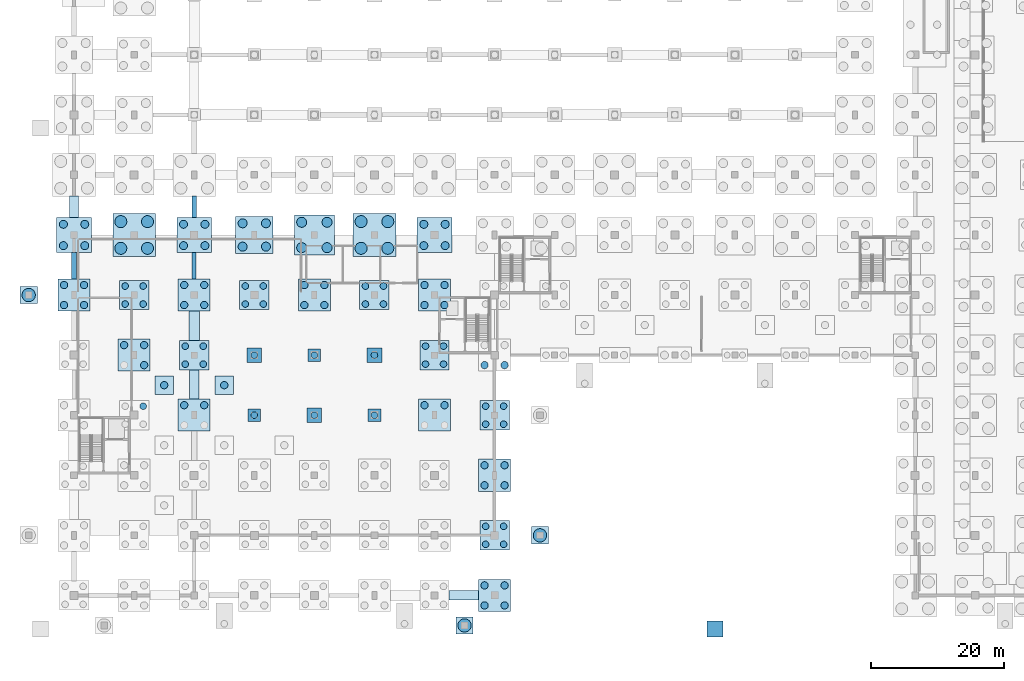
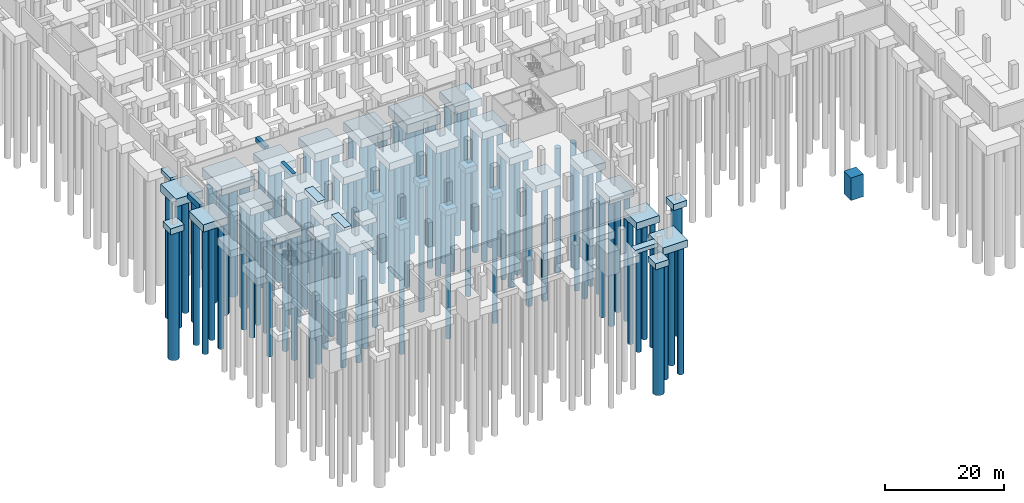
# One storey, part 2 of 37: 101 piles, 42 footings.
"""IFC4 building model written with IfcOpenShell, lengths in metres."""

from ifc_helpers import new_model, si_unit, direction, frame, origin, origin_2d, place, context, subcontext, project, spatial, rectangle, circle, extrude, material, material_profile, profile_set, type_object, element, save


model = new_model("IFC4")

# Units and contexts
model_context = context("Model", 3, precision=1e-05, world=origin(), true_north=direction((0.0, 1.0)))
body_context = subcontext(model_context, "Body", "Model", "MODEL_VIEW")
ifc_project = project(units=[si_unit("LENGTHUNIT", "METRE"), si_unit("AREAUNIT", "SQUARE_METRE"), si_unit("VOLUMEUNIT", "CUBIC_METRE"), si_unit("PLANEANGLEUNIT", "RADIAN"), si_unit("MASSUNIT", "GRAM", prefix="KILO")], contexts=[model_context])

# Site, building, storey
site_placement = place(None, origin())
site = spatial("IfcSite", under=ifc_project, at=site_placement, CompositionType="ELEMENT")
building_placement = place(site_placement, origin())
building = spatial("IfcBuilding", under=site, at=building_placement, Name="Barlavento Convention Centre", CompositionType="ELEMENT")
storey_placement = place(building_placement, frame((0.0, 0.0, -5.0)))
storey = spatial("IfcBuildingStorey", under=building, at=storey_placement, Name="B1", CompositionType="ELEMENT", Elevation=-5.0)

# Footings
ifc_material = material(Name="Concrete C40/50", Category="concrete")
footing_type_1 = type_object("IfcFootingType", Name="STR-FND-GB-600X900", PredefinedType="FOOTING_BEAM", material=ifc_material)
footing_1_placement = place(storey_placement, frame((18.0, 49.39990234375, -0.89990234375), z_axis=(0.0, 0.0, 1.0), x_axis=(1.0, 0.0, 0.0)))
element("IfcFooting", 1, at=footing_1_placement, inside=storey, type_object=footing_type_1, Name="Ground tie footing GB01", PredefinedType="FOOTING_BEAM", context=body_context, shape_type="SweptSolid", body=[
    extrude(rectangle(XDim=0.60009765625, YDim=4.010009765625, at=origin_2d()), origin(), (0.0, 0.0, 1.0), 0.89990234375),
])
footing_type_2 = type_object("IfcFootingType", Name="STR-FND-GB-700X1000", PredefinedType="FOOTING_BEAM", material=ifc_material)
footing_2_placement = place(storey_placement, frame((18.0, 58.199951171875, -1.0), z_axis=(0.0, 0.0, 1.0), x_axis=(1.0, 0.0, 0.0)))
element("IfcFooting", 2, at=footing_2_placement, inside=storey, type_object=footing_type_2, Name="Ground tie footing GB02", PredefinedType="FOOTING_BEAM", context=body_context, shape_type="SweptSolid", body=[
    extrude(rectangle(XDim=0.699951171875, YDim=3.2099609375, at=origin_2d()), origin(), (0.0, 0.0, 1.0), 1.0),
])
footing_type_3 = type_object("IfcFootingType", Name="STR-FND-GB-800X1100", PredefinedType="FOOTING_BEAM", material=ifc_material)
footing_3_placement = place(storey_placement, frame((0.0, 49.39990234375, -1.10009765625), z_axis=(0.0, 0.0, 1.0), x_axis=(1.0, 0.0, 0.0)))
element("IfcFooting", 3, at=footing_3_placement, inside=storey, type_object=footing_type_3, Name="Ground tie footing GB03", PredefinedType="FOOTING_BEAM", context=body_context, shape_type="SweptSolid", body=[
    extrude(rectangle(XDim=0.800048828125, YDim=4.010009765625, at=origin_2d()), origin(), (0.0, 0.0, 1.0), 1.10009765625),
])
footing_type_4 = type_object("IfcFootingType", Name="STR-FND-PAD-2800", PredefinedType="PAD_FOOTING", material=ifc_material)
for number, where, z_axis, x_axis, name in (
    (4, (13.5, 31.5, -1.47021484375), (0.0, 0.0, 1.0), (1.0, 0.0, 0.0), "B1 heavy plant equipment pad footing FND-EQP-0307"),
    (5, (22.5, 31.5, -1.47021484375), (0.0, 0.0, 1.0), (1.0, 0.0, 0.0), "B1 heavy plant equipment pad footing FND-EQP-0309"),
):
    element("IfcFooting", number, at=place(storey_placement, frame(where, z_axis=z_axis, x_axis=x_axis)), inside=storey, type_object=footing_type_4, Name=name, PredefinedType="PAD_FOOTING", context=body_context, shape_type="SweptSolid", body=[
        extrude(rectangle(XDim=2.800048828125, YDim=2.800048828125, at=origin_2d()), origin(), (0.0, 0.0, 1.0), 0.949951171875),
    ])
footing_type_5 = type_object("IfcFootingType", Name="STR-FND-PAD-APR-2400", PredefinedType="PAD_FOOTING", material=ifc_material)
footing_4_placement = place(storey_placement, frame((96.0, -5.0, 0.0), z_axis=(0.0, 0.0, 1.0), x_axis=(1.0, 0.0, 0.0)))
element("IfcFooting", 6, at=footing_4_placement, inside=storey, type_object=footing_type_5, Name="Perimeter plaza apron foundation pad FND-PAD-APR-02", PredefinedType="PAD_FOOTING", context=body_context, shape_type="SweptSolid", body=[
    extrude(rectangle(XDim=2.39990234375, YDim=2.39990234375, at=origin_2d()), origin(), (0.0, 0.0, 1.0), 4.639892578125),
])
footing_type_6 = type_object("IfcFootingType", Name="STR-FND-PC-2600", PredefinedType="PILE_CAP", material=ifc_material)
for number, where, z_axis, x_axis, name in (
    (7, (58.5, -4.5, -1.25), (0.0, 0.0, 1.0), (1.0, 0.0, 0.0), "Canopy V-strut anchor pile cap FND-CAP-0316"),
    (8, (-6.800048828125, 45.0, -1.25), (0.0, 0.0, 1.0), (1.0, 0.0, 0.0), "Canopy V-strut anchor pile cap FND-CAP-0318"),
    (9, (69.800048828125, 9.0, -1.25), (0.0, 0.0, 1.0), (1.0, 0.0, 0.0), "Canopy V-strut anchor pile cap FND-CAP-0319"),
):
    element("IfcFooting", number, at=place(storey_placement, frame(where, z_axis=z_axis, x_axis=x_axis)), inside=storey, type_object=footing_type_6, Name=name, PredefinedType="PILE_CAP", context=body_context, shape_type="SweptSolid", body=[
        extrude(rectangle(XDim=2.60009765625, YDim=2.60009765625, at=origin_2d()), origin(), (0.0, 0.0, 1.0), 1.25),
    ])
footing_type_7 = type_object("IfcFootingType", Name="STR-FND-PC1-1900", PredefinedType="PILE_CAP", material=ifc_material)
for number, where, z_axis, x_axis, name in (
    (10, (27.0, 27.0, -1.56982421875), (0.0, 0.0, 1.0), (1.0, 0.0, 0.0), "Pile cap PC01 at 4-D"),
    (11, (36.0, 36.0, -1.56982421875), (0.0, 0.0, 1.0), (1.0, 0.0, 0.0), "Pile cap PC01 at 5-E"),
    (12, (45.0, 27.0, -1.56982421875), (0.0, 0.0, 1.0), (1.0, 0.0, 0.0), "Pile cap PC01 at 6-D"),
):
    element("IfcFooting", number, at=place(storey_placement, frame(where, z_axis=z_axis, x_axis=x_axis)), inside=storey, type_object=footing_type_7, Name=name, PredefinedType="PILE_CAP", context=body_context, shape_type="SweptSolid", body=[
        extrude(rectangle(XDim=1.89990234375, YDim=1.89990234375, at=origin_2d()), origin(), (0.0, 0.0, 1.0), 1.050048828125),
    ])
footing_type_8 = type_object("IfcFootingType", Name="STR-FND-PC1-2200", PredefinedType="PILE_CAP", material=ifc_material)
for number, where, z_axis, x_axis, name in (
    (13, (27.0, 36.0, -1.669921875), (0.0, 0.0, 1.0), (1.0, 0.0, 0.0), "Pile cap PC02 at 4-E"),
    (14, (36.0, 27.0, -1.669921875), (0.0, 0.0, 1.0), (1.0, 0.0, 0.0), "Pile cap PC02 at 5-D"),
    (15, (45.0, 36.0, -1.669921875), (0.0, 0.0, 1.0), (1.0, 0.0, 0.0), "Pile cap PC02 at 6-E"),
):
    element("IfcFooting", number, at=place(storey_placement, frame(where, z_axis=z_axis, x_axis=x_axis)), inside=storey, type_object=footing_type_8, Name=name, PredefinedType="PILE_CAP", context=body_context, shape_type="SweptSolid", body=[
        extrude(rectangle(XDim=2.199951171875, YDim=2.199951171875, at=origin_2d()), origin(), (0.0, 0.0, 1.0), 1.14990234375),
    ])
footing_type_9 = type_object("IfcFootingType", Name="STR-FND-PC4-4400", PredefinedType="PILE_CAP", material=ifc_material)
for number, where, z_axis, x_axis, name in (
    (16, (9.0, 45.0, -1.97021484375), (0.0, 0.0, 1.0), (1.0, 0.0, 0.0), "Pile cap PC07 at 2-F"),
    (17, (18.0, 36.0, -1.97021484375), (0.0, 0.0, 1.0), (1.0, 0.0, 0.0), "Pile cap PC07 at 3-E"),
    (18, (27.0, 45.0, -1.97021484375), (0.0, 0.0, 1.0), (1.0, 0.0, 0.0), "Pile cap PC07 at 4-F"),
    (19, (45.0, 45.0, -1.97021484375), (0.0, 0.0, 1.0), (1.0, 0.0, 0.0), "Pile cap PC07 at 6-F"),
    (20, (54.0, 36.0, -1.97021484375), (0.0, 0.0, 1.0), (1.0, 0.0, 0.0), "Pile cap PC07 at 7-E"),
    (21, (63.0, 9.0, -1.97021484375), (0.0, 0.0, 1.0), (1.0, 0.0, 0.0), "Pile cap PC07 at 8-B"),
    (22, (63.0, 27.0, -1.97021484375), (0.0, 0.0, 1.0), (1.0, 0.0, 0.0), "Pile cap PC07 at 8-D"),
):
    element("IfcFooting", number, at=place(storey_placement, frame(where, z_axis=z_axis, x_axis=x_axis)), inside=storey, type_object=footing_type_9, Name=name, PredefinedType="PILE_CAP", context=body_context, shape_type="SweptSolid", body=[
        extrude(rectangle(XDim=4.39990234375, YDim=4.39990234375, at=origin_2d()), origin(), (0.0, 0.0, 1.0), 1.449951171875),
    ])
footing_type_10 = type_object("IfcFootingType", Name="STR-FND-PC4-4800", PredefinedType="PILE_CAP", material=ifc_material)
for number, where, z_axis, x_axis, name in (
    (23, (0.0, 45.0, -2.02001953125), (0.0, 0.0, 1.0), (1.0, 0.0, 0.0), "Pile cap PC08 at 1-F"),
    (24, (9.0, 36.0, -2.02001953125), (0.0, 0.0, 1.0), (1.0, 0.0, 0.0), "Pile cap PC08 at 2-E"),
    (25, (18.0, 27.0, -2.02001953125), (0.0, 0.0, 1.0), (1.0, 0.0, 0.0), "Pile cap PC08 at 3-D"),
    (26, (18.0, 45.0, -2.02001953125), (0.0, 0.0, 1.0), (1.0, 0.0, 0.0), "Pile cap PC08 at 3-F"),
    (27, (36.0, 45.0, -2.02001953125), (0.0, 0.0, 1.0), (1.0, 0.0, 0.0), "Pile cap PC08 at 5-F"),
    (28, (54.0, 27.0, -2.02001953125), (0.0, 0.0, 1.0), (1.0, 0.0, 0.0), "Pile cap PC08 at 7-D"),
    (29, (54.0, 45.0, -2.02001953125), (0.0, 0.0, 1.0), (1.0, 0.0, 0.0), "Pile cap PC08 at 7-F"),
    (30, (63.0, 0.0, -1.5), (0.0, 0.0, 1.0), (1.0, 0.0, 0.0), "Pile cap PC08 at 8-A"),
    (31, (63.0, 18.0, -2.02001953125), (0.0, 0.0, 1.0), (1.0, 0.0, 0.0), "Pile cap PC08 at 8-C"),
):
    element("IfcFooting", number, at=place(storey_placement, frame(where, z_axis=z_axis, x_axis=x_axis)), inside=storey, type_object=footing_type_10, Name=name, PredefinedType="PILE_CAP", context=body_context, shape_type="SweptSolid", body=[
        extrude(rectangle(XDim=4.800048828125, YDim=4.800048828125, at=origin_2d()), origin(), (0.0, 0.0, 1.0), 1.5),
    ])
footing_type_11 = type_object("IfcFootingType", Name="STR-FND-PC4-5200", PredefinedType="PILE_CAP", material=ifc_material)
for number, where, z_axis, x_axis, name in (
    (32, (0.0, 54.0, -2.1201171875), (0.0, 0.0, 1.0), (1.0, 0.0, 0.0), "Pile cap PC09 at 1-G"),
    (33, (18.0, 54.0, -2.1201171875), (0.0, 0.0, 1.0), (1.0, 0.0, 0.0), "Pile cap PC09 at 3-G"),
    (34, (54.0, 54.0, -2.1201171875), (0.0, 0.0, 1.0), (1.0, 0.0, 0.0), "Pile cap PC09 at 7-G"),
):
    element("IfcFooting", number, at=place(storey_placement, frame(where, z_axis=z_axis, x_axis=x_axis)), inside=storey, type_object=footing_type_11, Name=name, PredefinedType="PILE_CAP", context=body_context, shape_type="SweptSolid", body=[
        extrude(rectangle(XDim=5.199951171875, YDim=5.199951171875, at=origin_2d()), origin(), (0.0, 0.0, 1.0), 1.60009765625),
    ])
footing_type_12 = type_object("IfcFootingType", Name="STR-FND-PC4-5600", PredefinedType="PILE_CAP", material=ifc_material)
footing_5_placement = place(storey_placement, frame((27.0, 54.0, -2.22021484375), z_axis=(0.0, 0.0, 1.0), x_axis=(1.0, 0.0, 0.0)))
element("IfcFooting", 35, at=footing_5_placement, inside=storey, type_object=footing_type_12, Name="Pile cap PC10 at 4-G", PredefinedType="PILE_CAP", context=body_context, shape_type="SweptSolid", body=[
    extrude(rectangle(XDim=5.60009765625, YDim=5.60009765625, at=origin_2d()), origin(), (0.0, 0.0, 1.0), 1.699951171875),
])
footing_type_13 = type_object("IfcFootingType", Name="STR-FND-PC4-6000", PredefinedType="PILE_CAP", material=ifc_material)
footing_6_placement = place(storey_placement, frame((36.0, 54.0, -2.31982421875), z_axis=(0.0, 0.0, 1.0), x_axis=(1.0, 0.0, 0.0)))
element("IfcFooting", 36, at=footing_6_placement, inside=storey, type_object=footing_type_13, Name="Pile cap PC11 at 5-G", PredefinedType="PILE_CAP", context=body_context, shape_type="SweptSolid", body=[
    extrude(rectangle(XDim=6.0, YDim=6.0, at=origin_2d()), origin(), (0.0, 0.0, 1.0), 1.800048828125),
])
footing_type_14 = type_object("IfcFootingType", Name="STR-FND-PC4-6400", PredefinedType="PILE_CAP", material=ifc_material)
for number, where, z_axis, x_axis, name in (
    (37, (9.0, 54.0, -2.419921875), (0.0, 0.0, 1.0), (1.0, 0.0, 0.0), "Pile cap PC12 at 2-G"),
    (38, (45.0, 54.0, -2.419921875), (0.0, 0.0, 1.0), (1.0, 0.0, 0.0), "Pile cap PC12 at 6-G"),
):
    element("IfcFooting", number, at=place(storey_placement, frame(where, z_axis=z_axis, x_axis=x_axis)), inside=storey, type_object=footing_type_14, Name=name, PredefinedType="PILE_CAP", context=body_context, shape_type="SweptSolid", body=[
        extrude(rectangle(XDim=6.39990234375, YDim=6.39990234375, at=origin_2d()), origin(), (0.0, 0.0, 1.0), 1.89990234375),
    ])
footing_type_15 = type_object("IfcFootingType", Name="STR-FND-SF-1400X800", PredefinedType="STRIP_FOOTING", material=ifc_material)
footing_7_placement = place(storey_placement, frame((58.39990234375, 0.0, -0.7998046875), z_axis=(0.0, 0.0, 1.0), x_axis=(1.0, 0.0, 0.0)))
element("IfcFooting", 39, at=footing_7_placement, inside=storey, type_object=footing_type_15, Name="Ground tie footing SF01", PredefinedType="STRIP_FOOTING", context=body_context, shape_type="SweptSolid", body=[
    extrude(rectangle(XDim=4.409912109375, YDim=1.39990234375, at=origin_2d()), origin(), (0.0, 0.0, 1.0), 0.800048828125),
])
footing_8_placement = place(storey_placement, frame((0.0, 58.199951171875, -0.7998046875), z_axis=(0.0, 0.0, 1.0), x_axis=(1.0, 0.0, 0.0)))
element("IfcFooting", 40, at=footing_8_placement, inside=storey, type_object=footing_type_15, Name="Ground tie footing SF01", PredefinedType="STRIP_FOOTING", context=body_context, shape_type="SweptSolid", body=[
    extrude(rectangle(XDim=1.39990234375, YDim=3.2099609375, at=origin_2d()), origin(), (0.0, 0.0, 1.0), 0.800048828125),
])
footing_9_placement = place(storey_placement, frame((18.0, 31.60009765625, -0.7998046875), z_axis=(0.0, 0.0, 1.0), x_axis=(1.0, 0.0, 0.0)))
element("IfcFooting", 41, at=footing_9_placement, inside=storey, type_object=footing_type_15, Name="Ground tie footing SF01", PredefinedType="STRIP_FOOTING", context=body_context, shape_type="SweptSolid", body=[
    extrude(rectangle(XDim=1.39990234375, YDim=4.409912109375, at=origin_2d()), origin(), (0.0, 0.0, 1.0), 0.800048828125),
])
footing_type_16 = type_object("IfcFootingType", Name="STR-FND-SF-1600X900", PredefinedType="STRIP_FOOTING", material=ifc_material)
footing_10_placement = place(storey_placement, frame((18.0, 40.39990234375, -0.89990234375), z_axis=(0.0, 0.0, 1.0), x_axis=(1.0, 0.0, 0.0)))
element("IfcFooting", 42, at=footing_10_placement, inside=storey, type_object=footing_type_16, Name="Ground tie footing SF02", PredefinedType="STRIP_FOOTING", context=body_context, shape_type="SweptSolid", body=[
    extrude(rectangle(XDim=1.60009765625, YDim=4.409912109375, at=origin_2d()), origin(), (0.0, 0.0, 1.0), 0.89990234375),
])

# Piles
ifc_material_profile_1 = material_profile(ifc_material, circle(Radius=0.5, at=origin_2d()), Name="BORED PILE 1000")
ifc_profile_set_1 = profile_set([ifc_material_profile_1], Name="Concrete C40/50")
pile_type_1 = type_object("IfcPileType", Name="STR-PIL-B1000", PredefinedType="BORED", material=ifc_profile_set_1)
for number, where, z_axis, x_axis, name in (
    (43, (10.35009765625, 28.35009765625, -1.8701171875), (0.0, 0.0, -1.0), (1.0, 0.0, 0.0), "Bored pile P10 under FND-CAP-0017"),
    (44, (7.64990234375, 43.64990234375, -1.8701171875), (0.0, 0.0, -1.0), (1.0, 0.0, 0.0), "Bored pile P10 under FND-CAP-0019"),
    (45, (10.35009765625, 43.64990234375, -1.8701171875), (0.0, 0.0, -1.0), (1.0, 0.0, 0.0), "Bored pile P10 under FND-CAP-0019"),
    (46, (7.64990234375, 46.35009765625, -1.8701171875), (0.0, 0.0, -1.0), (1.0, 0.0, 0.0), "Bored pile P10 under FND-CAP-0019"),
    (47, (10.35009765625, 46.35009765625, -1.8701171875), (0.0, 0.0, -1.0), (1.0, 0.0, 0.0), "Bored pile P10 under FND-CAP-0019"),
    (48, (16.64990234375, 34.64990234375, -1.8701171875), (0.0, 0.0, -1.0), (1.0, 0.0, 0.0), "Bored pile P10 under FND-CAP-0033"),
    (49, (19.35009765625, 34.64990234375, -1.8701171875), (0.0, 0.0, -1.0), (1.0, 0.0, 0.0), "Bored pile P10 under FND-CAP-0033"),
    (50, (16.64990234375, 37.35009765625, -1.8701171875), (0.0, 0.0, -1.0), (1.0, 0.0, 0.0), "Bored pile P10 under FND-CAP-0033"),
    (51, (19.35009765625, 37.35009765625, -1.8701171875), (0.0, 0.0, -1.0), (1.0, 0.0, 0.0), "Bored pile P10 under FND-CAP-0033"),
):
    element("IfcPile", number, at=place(storey_placement, frame(where, z_axis=z_axis, x_axis=x_axis)), inside=storey, type_object=pile_type_1, Name=name, PredefinedType="BORED", context=body_context, shape_type="SweptSolid", body=[
        extrude(circle(Radius=0.5, at=origin_2d()), origin(), (0.0, 0.0, 1.0), 25.6298828125),
    ])
pile_1_placement = place(storey_placement, frame((27.0, 27.0, -1.469970703125), z_axis=(0.0, 0.0, -1.0), x_axis=(1.0, 0.0, 0.0)))
element("IfcPile", 52, at=pile_1_placement, inside=storey, type_object=pile_type_1, Name="Bored pile P10 under FND-CAP-0047", PredefinedType="BORED", context=body_context, shape_type="SweptSolid", body=[
    extrude(circle(Radius=0.5, at=origin_2d()), origin(), (0.0, 0.0, 1.0), 26.030029296875),
])
pile_2_placement = place(storey_placement, frame((27.0, 36.0, -1.570068359375), z_axis=(0.0, 0.0, -1.0), x_axis=(1.0, 0.0, 0.0)))
element("IfcPile", 53, at=pile_2_placement, inside=storey, type_object=pile_type_1, Name="Bored pile P10 under FND-CAP-0048", PredefinedType="BORED", context=body_context, shape_type="SweptSolid", body=[
    extrude(circle(Radius=0.5, at=origin_2d()), origin(), (0.0, 0.0, 1.0), 25.929931640625),
])
for number, where, z_axis, x_axis, name in (
    (54, (25.64990234375, 43.64990234375, -1.8701171875), (0.0, 0.0, -1.0), (1.0, 0.0, 0.0), "Bored pile P10 under FND-CAP-0049"),
    (55, (28.35009765625, 43.64990234375, -1.8701171875), (0.0, 0.0, -1.0), (1.0, 0.0, 0.0), "Bored pile P10 under FND-CAP-0049"),
    (56, (25.64990234375, 46.35009765625, -1.8701171875), (0.0, 0.0, -1.0), (1.0, 0.0, 0.0), "Bored pile P10 under FND-CAP-0049"),
    (57, (28.35009765625, 46.35009765625, -1.8701171875), (0.0, 0.0, -1.0), (1.0, 0.0, 0.0), "Bored pile P10 under FND-CAP-0049"),
):
    element("IfcPile", number, at=place(storey_placement, frame(where, z_axis=z_axis, x_axis=x_axis)), inside=storey, type_object=pile_type_1, Name=name, PredefinedType="BORED", context=body_context, shape_type="SweptSolid", body=[
        extrude(circle(Radius=0.5, at=origin_2d()), origin(), (0.0, 0.0, 1.0), 25.6298828125),
    ])
pile_3_placement = place(storey_placement, frame((36.0, 27.0, -1.570068359375), z_axis=(0.0, 0.0, -1.0), x_axis=(1.0, 0.0, 0.0)))
element("IfcPile", 58, at=pile_3_placement, inside=storey, type_object=pile_type_1, Name="Bored pile P10 under FND-CAP-0062", PredefinedType="BORED", context=body_context, shape_type="SweptSolid", body=[
    extrude(circle(Radius=0.5, at=origin_2d()), origin(), (0.0, 0.0, 1.0), 25.929931640625),
])
for number, where, z_axis, x_axis, name in (
    (59, (36.0, 36.0, -1.469970703125), (0.0, 0.0, -1.0), (1.0, 0.0, 0.0), "Bored pile P10 under FND-CAP-0063"),
    (60, (45.0, 27.0, -1.469970703125), (0.0, 0.0, -1.0), (1.0, 0.0, 0.0), "Bored pile P10 under FND-CAP-0077"),
):
    element("IfcPile", number, at=place(storey_placement, frame(where, z_axis=z_axis, x_axis=x_axis)), inside=storey, type_object=pile_type_1, Name=name, PredefinedType="BORED", context=body_context, shape_type="SweptSolid", body=[
        extrude(circle(Radius=0.5, at=origin_2d()), origin(), (0.0, 0.0, 1.0), 26.030029296875),
    ])
pile_4_placement = place(storey_placement, frame((45.0, 36.0, -1.570068359375), z_axis=(0.0, 0.0, -1.0), x_axis=(1.0, 0.0, 0.0)))
element("IfcPile", 61, at=pile_4_placement, inside=storey, type_object=pile_type_1, Name="Bored pile P10 under FND-CAP-0078", PredefinedType="BORED", context=body_context, shape_type="SweptSolid", body=[
    extrude(circle(Radius=0.5, at=origin_2d()), origin(), (0.0, 0.0, 1.0), 25.929931640625),
])
for number, where, z_axis, x_axis, name in (
    (62, (43.64990234375, 43.64990234375, -1.8701171875), (0.0, 0.0, -1.0), (1.0, 0.0, 0.0), "Bored pile P10 under FND-CAP-0079"),
    (63, (46.35009765625, 43.64990234375, -1.8701171875), (0.0, 0.0, -1.0), (1.0, 0.0, 0.0), "Bored pile P10 under FND-CAP-0079"),
    (64, (43.64990234375, 46.35009765625, -1.8701171875), (0.0, 0.0, -1.0), (1.0, 0.0, 0.0), "Bored pile P10 under FND-CAP-0079"),
    (65, (46.35009765625, 46.35009765625, -1.8701171875), (0.0, 0.0, -1.0), (1.0, 0.0, 0.0), "Bored pile P10 under FND-CAP-0079"),
    (66, (52.64990234375, 34.64990234375, -1.8701171875), (0.0, 0.0, -1.0), (1.0, 0.0, 0.0), "Bored pile P10 under FND-CAP-0093"),
    (67, (55.35009765625, 34.64990234375, -1.8701171875), (0.0, 0.0, -1.0), (1.0, 0.0, 0.0), "Bored pile P10 under FND-CAP-0093"),
    (68, (52.64990234375, 37.35009765625, -1.8701171875), (0.0, 0.0, -1.0), (1.0, 0.0, 0.0), "Bored pile P10 under FND-CAP-0093"),
    (69, (55.35009765625, 37.35009765625, -1.8701171875), (0.0, 0.0, -1.0), (1.0, 0.0, 0.0), "Bored pile P10 under FND-CAP-0093"),
    (70, (61.64990234375, 7.64990234375, -1.8701171875), (0.0, 0.0, -1.0), (1.0, 0.0, 0.0), "Bored pile P10 under FND-CAP-0105"),
    (71, (64.35009765625, 7.64990234375, -1.8701171875), (0.0, 0.0, -1.0), (1.0, 0.0, 0.0), "Bored pile P10 under FND-CAP-0105"),
    (72, (61.64990234375, 10.35009765625, -1.8701171875), (0.0, 0.0, -1.0), (1.0, 0.0, 0.0), "Bored pile P10 under FND-CAP-0105"),
    (73, (64.35009765625, 10.35009765625, -1.8701171875), (0.0, 0.0, -1.0), (1.0, 0.0, 0.0), "Bored pile P10 under FND-CAP-0105"),
    (74, (61.64990234375, 25.64990234375, -1.8701171875), (0.0, 0.0, -1.0), (1.0, 0.0, 0.0), "Bored pile P10 under FND-CAP-0107"),
    (75, (64.35009765625, 25.64990234375, -1.8701171875), (0.0, 0.0, -1.0), (1.0, 0.0, 0.0), "Bored pile P10 under FND-CAP-0107"),
    (76, (61.64990234375, 28.35009765625, -1.8701171875), (0.0, 0.0, -1.0), (1.0, 0.0, 0.0), "Bored pile P10 under FND-CAP-0107"),
    (77, (64.35009765625, 28.35009765625, -1.8701171875), (0.0, 0.0, -1.0), (1.0, 0.0, 0.0), "Bored pile P10 under FND-CAP-0107"),
):
    element("IfcPile", number, at=place(storey_placement, frame(where, z_axis=z_axis, x_axis=x_axis)), inside=storey, type_object=pile_type_1, Name=name, PredefinedType="BORED", context=body_context, shape_type="SweptSolid", body=[
        extrude(circle(Radius=0.5, at=origin_2d()), origin(), (0.0, 0.0, 1.0), 25.6298828125),
    ])
ifc_material_profile_2 = material_profile(ifc_material, circle(Radius=0.550048828125, at=origin_2d()), Name="BORED PILE 1100")
ifc_profile_set_2 = profile_set([ifc_material_profile_2], Name="Concrete C40/50")
pile_type_2 = type_object("IfcPileType", Name="STR-PIL-B1100", PredefinedType="BORED", material=ifc_profile_set_2)
for number, where, z_axis, x_axis, name in (
    (78, (-1.5, 43.5, -1.919921875), (0.0, 0.0, -1.0), (1.0, 0.0, 0.0), "Bored pile P11 under FND-CAP-0006"),
    (79, (1.5, 43.5, -1.919921875), (0.0, 0.0, -1.0), (1.0, 0.0, 0.0), "Bored pile P11 under FND-CAP-0006"),
    (80, (-1.5, 46.5, -1.919921875), (0.0, 0.0, -1.0), (1.0, 0.0, 0.0), "Bored pile P11 under FND-CAP-0006"),
    (81, (1.5, 46.5, -1.919921875), (0.0, 0.0, -1.0), (1.0, 0.0, 0.0), "Bored pile P11 under FND-CAP-0006"),
    (82, (10.5, 34.5, -1.919921875), (0.0, 0.0, -1.0), (1.0, 0.0, 0.0), "Bored pile P11 under FND-CAP-0018"),
    (83, (7.5, 37.5, -1.919921875), (0.0, 0.0, -1.0), (1.0, 0.0, 0.0), "Bored pile P11 under FND-CAP-0018"),
    (84, (10.5, 37.5, -1.919921875), (0.0, 0.0, -1.0), (1.0, 0.0, 0.0), "Bored pile P11 under FND-CAP-0018"),
    (85, (16.5, 28.5, -1.919921875), (0.0, 0.0, -1.0), (1.0, 0.0, 0.0), "Bored pile P11 under FND-CAP-0032"),
    (86, (19.5, 28.5, -1.919921875), (0.0, 0.0, -1.0), (1.0, 0.0, 0.0), "Bored pile P11 under FND-CAP-0032"),
    (87, (16.5, 43.5, -1.919921875), (0.0, 0.0, -1.0), (1.0, 0.0, 0.0), "Bored pile P11 under FND-CAP-0034"),
    (88, (19.5, 43.5, -1.919921875), (0.0, 0.0, -1.0), (1.0, 0.0, 0.0), "Bored pile P11 under FND-CAP-0034"),
    (89, (16.5, 46.5, -1.919921875), (0.0, 0.0, -1.0), (1.0, 0.0, 0.0), "Bored pile P11 under FND-CAP-0034"),
    (90, (19.5, 46.5, -1.919921875), (0.0, 0.0, -1.0), (1.0, 0.0, 0.0), "Bored pile P11 under FND-CAP-0034"),
    (91, (34.5, 43.5, -1.919921875), (0.0, 0.0, -1.0), (1.0, 0.0, 0.0), "Bored pile P11 under FND-CAP-0064"),
    (92, (37.5, 43.5, -1.919921875), (0.0, 0.0, -1.0), (1.0, 0.0, 0.0), "Bored pile P11 under FND-CAP-0064"),
    (93, (34.5, 46.5, -1.919921875), (0.0, 0.0, -1.0), (1.0, 0.0, 0.0), "Bored pile P11 under FND-CAP-0064"),
    (94, (37.5, 46.5, -1.919921875), (0.0, 0.0, -1.0), (1.0, 0.0, 0.0), "Bored pile P11 under FND-CAP-0064"),
    (95, (52.5, 28.5, -1.919921875), (0.0, 0.0, -1.0), (1.0, 0.0, 0.0), "Bored pile P11 under FND-CAP-0092"),
    (96, (55.5, 28.5, -1.919921875), (0.0, 0.0, -1.0), (1.0, 0.0, 0.0), "Bored pile P11 under FND-CAP-0092"),
    (97, (52.5, 43.5, -1.919921875), (0.0, 0.0, -1.0), (1.0, 0.0, 0.0), "Bored pile P11 under FND-CAP-0094"),
    (98, (55.5, 43.5, -1.919921875), (0.0, 0.0, -1.0), (1.0, 0.0, 0.0), "Bored pile P11 under FND-CAP-0094"),
    (99, (52.5, 46.5, -1.919921875), (0.0, 0.0, -1.0), (1.0, 0.0, 0.0), "Bored pile P11 under FND-CAP-0094"),
    (100, (55.5, 46.5, -1.919921875), (0.0, 0.0, -1.0), (1.0, 0.0, 0.0), "Bored pile P11 under FND-CAP-0094"),
):
    element("IfcPile", number, at=place(storey_placement, frame(where, z_axis=z_axis, x_axis=x_axis)), inside=storey, type_object=pile_type_2, Name=name, PredefinedType="BORED", context=body_context, shape_type="SweptSolid", body=[
        extrude(circle(Radius=0.550048828125, at=origin_2d()), origin(), (0.0, 0.0, 1.0), 25.580078125),
    ])
for number, where, z_axis, x_axis, name in (
    (101, (61.5, -1.5, -1.39990234375), (0.0, 0.0, -1.0), (1.0, 0.0, 0.0), "Bored pile P11 under FND-CAP-0104"),
    (102, (64.5, -1.5, -1.39990234375), (0.0, 0.0, -1.0), (1.0, 0.0, 0.0), "Bored pile P11 under FND-CAP-0104"),
    (103, (61.5, 1.5, -1.39990234375), (0.0, 0.0, -1.0), (1.0, 0.0, 0.0), "Bored pile P11 under FND-CAP-0104"),
    (104, (64.5, 1.5, -1.39990234375), (0.0, 0.0, -1.0), (1.0, 0.0, 0.0), "Bored pile P11 under FND-CAP-0104"),
):
    element("IfcPile", number, at=place(storey_placement, frame(where, z_axis=z_axis, x_axis=x_axis)), inside=storey, type_object=pile_type_2, Name=name, PredefinedType="BORED", context=body_context, shape_type="SweptSolid", body=[
        extrude(circle(Radius=0.550048828125, at=origin_2d()), origin(), (0.0, 0.0, 1.0), 26.10009765625),
    ])
for number, where, z_axis, x_axis, name in (
    (105, (61.5, 16.5, -1.919921875), (0.0, 0.0, -1.0), (1.0, 0.0, 0.0), "Bored pile P11 under FND-CAP-0106"),
    (106, (64.5, 16.5, -1.919921875), (0.0, 0.0, -1.0), (1.0, 0.0, 0.0), "Bored pile P11 under FND-CAP-0106"),
    (107, (61.5, 19.5, -1.919921875), (0.0, 0.0, -1.0), (1.0, 0.0, 0.0), "Bored pile P11 under FND-CAP-0106"),
    (108, (64.5, 19.5, -1.919921875), (0.0, 0.0, -1.0), (1.0, 0.0, 0.0), "Bored pile P11 under FND-CAP-0106"),
    (109, (61.5, 34.5, -1.919921875), (0.0, 0.0, -1.0), (1.0, 0.0, 0.0), "Bored pile P11 under FND-CAP-0108"),
    (110, (64.5, 34.5, -1.919921875), (0.0, 0.0, -1.0), (1.0, 0.0, 0.0), "Bored pile P11 under FND-CAP-0108"),
):
    element("IfcPile", number, at=place(storey_placement, frame(where, z_axis=z_axis, x_axis=x_axis)), inside=storey, type_object=pile_type_2, Name=name, PredefinedType="BORED", context=body_context, shape_type="SweptSolid", body=[
        extrude(circle(Radius=0.550048828125, at=origin_2d()), origin(), (0.0, 0.0, 1.0), 25.580078125),
    ])
for number, where, z_axis, x_axis, name in (
    (111, (13.5, 31.5, -1.3701171875), (0.0, 0.0, -1.0), (1.0, 0.0, 0.0), "Equipment pad bored pile PIL-P11-13500-31500"),
    (112, (22.5, 31.5, -1.3701171875), (0.0, 0.0, -1.0), (1.0, 0.0, 0.0), "Equipment pad bored pile PIL-P11-22500-31500"),
):
    element("IfcPile", number, at=place(storey_placement, frame(where, z_axis=z_axis, x_axis=x_axis)), inside=storey, type_object=pile_type_2, Name=name, PredefinedType="BORED", context=body_context, shape_type="SweptSolid", body=[
        extrude(circle(Radius=0.550048828125, at=origin_2d()), origin(), (0.0, 0.0, 1.0), 26.1298828125),
    ])
ifc_material_profile_3 = material_profile(ifc_material, circle(Radius=0.60009765625, at=origin_2d()), Name="BORED PILE 1200")
ifc_profile_set_3 = profile_set([ifc_material_profile_3], Name="Concrete C40/50")
pile_type_3 = type_object("IfcPileType", Name="STR-PIL-B1200", PredefinedType="BORED", material=ifc_profile_set_3)
for number, where, z_axis, x_axis, name in (
    (113, (-1.60009765625, 52.39990234375, -2.02001953125), (0.0, 0.0, -1.0), (1.0, 0.0, 0.0), "Bored pile P12 under FND-CAP-0007"),
    (114, (1.60009765625, 52.39990234375, -2.02001953125), (0.0, 0.0, -1.0), (1.0, 0.0, 0.0), "Bored pile P12 under FND-CAP-0007"),
    (115, (-1.60009765625, 55.60009765625, -2.02001953125), (0.0, 0.0, -1.0), (1.0, 0.0, 0.0), "Bored pile P12 under FND-CAP-0007"),
    (116, (1.60009765625, 55.60009765625, -2.02001953125), (0.0, 0.0, -1.0), (1.0, 0.0, 0.0), "Bored pile P12 under FND-CAP-0007"),
    (117, (16.39990234375, 52.39990234375, -2.02001953125), (0.0, 0.0, -1.0), (1.0, 0.0, 0.0), "Bored pile P12 under FND-CAP-0035"),
    (118, (19.60009765625, 52.39990234375, -2.02001953125), (0.0, 0.0, -1.0), (1.0, 0.0, 0.0), "Bored pile P12 under FND-CAP-0035"),
    (119, (16.39990234375, 55.60009765625, -2.02001953125), (0.0, 0.0, -1.0), (1.0, 0.0, 0.0), "Bored pile P12 under FND-CAP-0035"),
    (120, (19.60009765625, 55.60009765625, -2.02001953125), (0.0, 0.0, -1.0), (1.0, 0.0, 0.0), "Bored pile P12 under FND-CAP-0035"),
    (121, (52.39990234375, 52.39990234375, -2.02001953125), (0.0, 0.0, -1.0), (1.0, 0.0, 0.0), "Bored pile P12 under FND-CAP-0095"),
    (122, (55.60009765625, 52.39990234375, -2.02001953125), (0.0, 0.0, -1.0), (1.0, 0.0, 0.0), "Bored pile P12 under FND-CAP-0095"),
    (123, (52.39990234375, 55.60009765625, -2.02001953125), (0.0, 0.0, -1.0), (1.0, 0.0, 0.0), "Bored pile P12 under FND-CAP-0095"),
    (124, (55.60009765625, 55.60009765625, -2.02001953125), (0.0, 0.0, -1.0), (1.0, 0.0, 0.0), "Bored pile P12 under FND-CAP-0095"),
):
    element("IfcPile", number, at=place(storey_placement, frame(where, z_axis=z_axis, x_axis=x_axis)), inside=storey, type_object=pile_type_3, Name=name, PredefinedType="BORED", context=body_context, shape_type="SweptSolid", body=[
        extrude(circle(Radius=0.60009765625, at=origin_2d()), origin(), (0.0, 0.0, 1.0), 25.47998046875),
    ])
ifc_material_profile_4 = material_profile(ifc_material, circle(Radius=0.675048828125, at=origin_2d()), Name="BORED PILE 1350")
ifc_profile_set_4 = profile_set([ifc_material_profile_4], Name="Concrete C40/50")
pile_type_4 = type_object("IfcPileType", Name="STR-PIL-B1350", PredefinedType="BORED", material=ifc_profile_set_4)
for number, where, z_axis, x_axis, name in (
    (125, (25.25, 52.25, -2.1201171875), (0.0, 0.0, -1.0), (1.0, 0.0, 0.0), "Bored pile P13 under FND-CAP-0050"),
    (126, (28.75, 52.25, -2.1201171875), (0.0, 0.0, -1.0), (1.0, 0.0, 0.0), "Bored pile P13 under FND-CAP-0050"),
    (127, (25.25, 55.75, -2.1201171875), (0.0, 0.0, -1.0), (1.0, 0.0, 0.0), "Bored pile P13 under FND-CAP-0050"),
    (128, (28.75, 55.75, -2.1201171875), (0.0, 0.0, -1.0), (1.0, 0.0, 0.0), "Bored pile P13 under FND-CAP-0050"),
):
    element("IfcPile", number, at=place(storey_placement, frame(where, z_axis=z_axis, x_axis=x_axis)), inside=storey, type_object=pile_type_4, Name=name, PredefinedType="BORED", context=body_context, shape_type="SweptSolid", body=[
        extrude(circle(Radius=0.675048828125, at=origin_2d()), origin(), (0.0, 0.0, 1.0), 25.3798828125),
    ])
ifc_material_profile_5 = material_profile(ifc_material, circle(Radius=0.75, at=origin_2d()), Name="BORED PILE 1500")
ifc_profile_set_5 = profile_set([ifc_material_profile_5], Name="Concrete C40/50")
pile_type_5 = type_object("IfcPileType", Name="STR-PIL-B1500", PredefinedType="BORED", material=ifc_profile_set_5)
for number, where, z_axis, x_axis, name in (
    (129, (34.10009765625, 52.10009765625, -2.219970703125), (0.0, 0.0, -1.0), (1.0, 0.0, 0.0), "Bored pile P15 under FND-CAP-0065"),
    (130, (37.89990234375, 52.10009765625, -2.219970703125), (0.0, 0.0, -1.0), (1.0, 0.0, 0.0), "Bored pile P15 under FND-CAP-0065"),
    (131, (34.10009765625, 55.89990234375, -2.219970703125), (0.0, 0.0, -1.0), (1.0, 0.0, 0.0), "Bored pile P15 under FND-CAP-0065"),
    (132, (37.89990234375, 55.89990234375, -2.219970703125), (0.0, 0.0, -1.0), (1.0, 0.0, 0.0), "Bored pile P15 under FND-CAP-0065"),
):
    element("IfcPile", number, at=place(storey_placement, frame(where, z_axis=z_axis, x_axis=x_axis)), inside=storey, type_object=pile_type_5, Name=name, PredefinedType="BORED", context=body_context, shape_type="SweptSolid", body=[
        extrude(circle(Radius=0.75, at=origin_2d()), origin(), (0.0, 0.0, 1.0), 25.280029296875),
    ])
ifc_material_profile_6 = material_profile(ifc_material, circle(Radius=0.89990234375, at=origin_2d()), Name="BORED PILE 1800")
ifc_profile_set_6 = profile_set([ifc_material_profile_6], Name="Concrete C40/50")
pile_type_6 = type_object("IfcPileType", Name="STR-PIL-B1800", PredefinedType="BORED", material=ifc_profile_set_6)
for number, where, z_axis, x_axis, name in (
    (133, (7.0, 52.0, -2.320068359375), (0.0, 0.0, -1.0), (1.0, 0.0, 0.0), "Bored pile P18 under FND-CAP-0020"),
    (134, (11.0, 52.0, -2.320068359375), (0.0, 0.0, -1.0), (1.0, 0.0, 0.0), "Bored pile P18 under FND-CAP-0020"),
    (135, (7.0, 56.0, -2.320068359375), (0.0, 0.0, -1.0), (1.0, 0.0, 0.0), "Bored pile P18 under FND-CAP-0020"),
    (136, (11.0, 56.0, -2.320068359375), (0.0, 0.0, -1.0), (1.0, 0.0, 0.0), "Bored pile P18 under FND-CAP-0020"),
    (137, (43.0, 52.0, -2.320068359375), (0.0, 0.0, -1.0), (1.0, 0.0, 0.0), "Bored pile P18 under FND-CAP-0080"),
    (138, (47.0, 52.0, -2.320068359375), (0.0, 0.0, -1.0), (1.0, 0.0, 0.0), "Bored pile P18 under FND-CAP-0080"),
    (139, (43.0, 56.0, -2.320068359375), (0.0, 0.0, -1.0), (1.0, 0.0, 0.0), "Bored pile P18 under FND-CAP-0080"),
    (140, (47.0, 56.0, -2.320068359375), (0.0, 0.0, -1.0), (1.0, 0.0, 0.0), "Bored pile P18 under FND-CAP-0080"),
):
    element("IfcPile", number, at=place(storey_placement, frame(where, z_axis=z_axis, x_axis=x_axis)), inside=storey, type_object=pile_type_6, Name=name, PredefinedType="BORED", context=body_context, shape_type="SweptSolid", body=[
        extrude(circle(Radius=0.89990234375, at=origin_2d()), origin(), (0.0, 0.0, 1.0), 25.179931640625),
    ])
ifc_material_profile_7 = material_profile(ifc_material, circle(Radius=1.0, at=origin_2d()), Name="BORED PILE 2000")
ifc_profile_set_7 = profile_set([ifc_material_profile_7], Name="Concrete C40/50")
pile_type_7 = type_object("IfcPileType", Name="STR-PIL-B2000", PredefinedType="BORED", material=ifc_profile_set_7)
for number, where, z_axis, x_axis, name in (
    (141, (58.5, -4.5, -1.14990234375), (0.0, 0.0, -1.0), (1.0, 0.0, 0.0), "Canopy uplift bored pile PIL-P20-58500--4500"),
    (142, (-6.800048828125, 45.0, -1.14990234375), (0.0, 0.0, -1.0), (1.0, 0.0, 0.0), "Canopy uplift bored pile PIL-P20--6800-45000"),
    (143, (69.800048828125, 9.0, -1.14990234375), (0.0, 0.0, -1.0), (1.0, 0.0, 0.0), "Canopy uplift bored pile PIL-P20-69800-9000"),
):
    element("IfcPile", number, at=place(storey_placement, frame(where, z_axis=z_axis, x_axis=x_axis)), inside=storey, type_object=pile_type_7, Name=name, PredefinedType="BORED", context=body_context, shape_type="SweptSolid", body=[
        extrude(circle(Radius=1.0, at=origin_2d()), origin(), (0.0, 0.0, 1.0), 26.35009765625),
    ])

save(model, "model.ifc")
